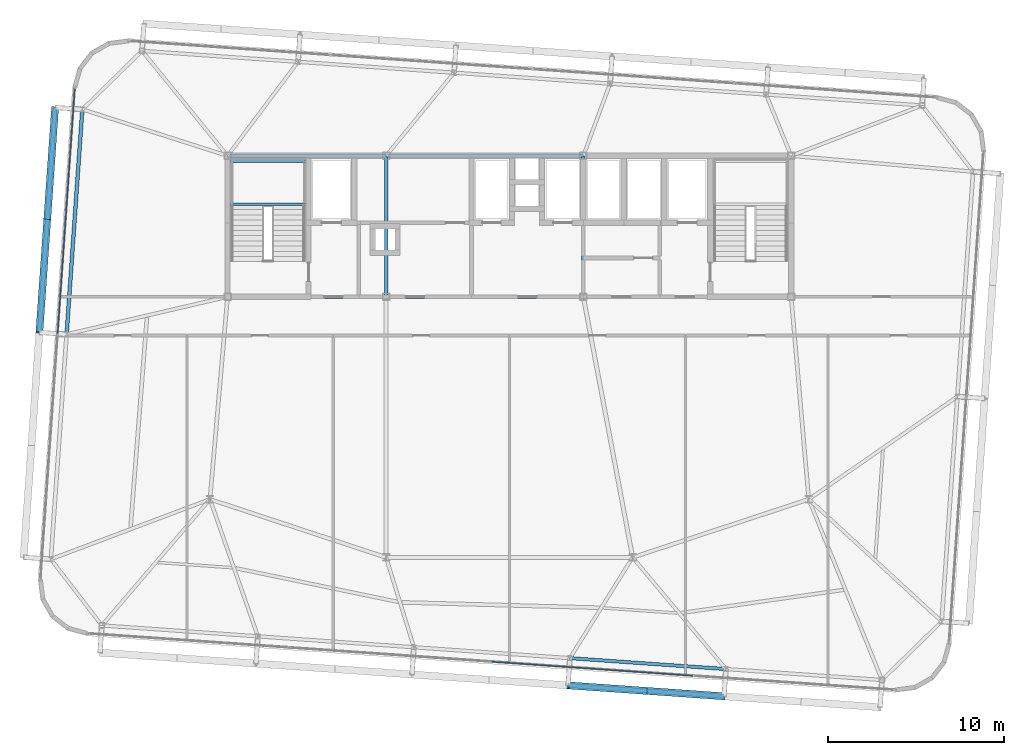
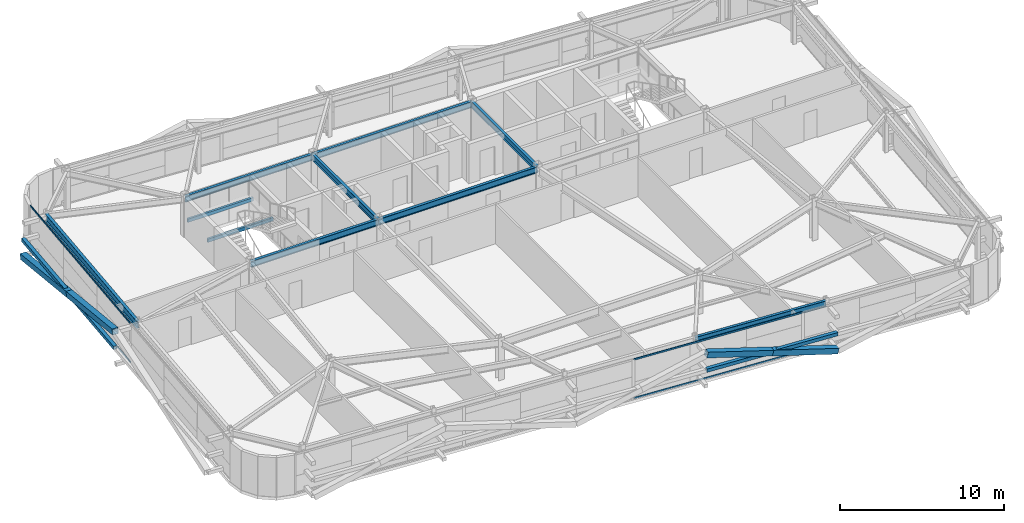
# One storey, part 12 of 39: 10 beams, 10 members, 2 elements without a shape of their own.
"""IFC4 building model written with IfcOpenShell, lengths in metres."""

from ifc_helpers import new_model, si_unit, direction, frame, origin, origin_2d, place, context, subcontext, project, spatial, hollow_rectangle, i_section, extrude, source, transform, mapped, material, layer, layer_set, material_profile, profile_set, type_object, element, aggregate, save


model = new_model("IFC4")

# Units and contexts
model_context = context("Model", 3, precision=1e-05, world=origin(), true_north=direction((0.0, 1.0)))
body_context = subcontext(model_context, "Body", "Model", "MODEL_VIEW")
ifc_project = project(units=[si_unit("LENGTHUNIT", "METRE"), si_unit("AREAUNIT", "SQUARE_METRE"), si_unit("VOLUMEUNIT", "CUBIC_METRE"), si_unit("PLANEANGLEUNIT", "RADIAN"), si_unit("MASSUNIT", "GRAM", prefix="KILO")], contexts=[model_context])

# Site, building, storey
site_placement = place(None, origin())
site = spatial("IfcSite", under=ifc_project, at=site_placement, CompositionType="ELEMENT")
building_placement = place(site_placement, origin())
building = spatial("IfcBuilding", under=site, at=building_placement, Name="Taldren Reach Tower", CompositionType="ELEMENT")
storey_placement = place(building_placement, frame((0.0, 0.0, 145.60009765625)))
storey = spatial("IfcBuildingStorey", under=building, at=storey_placement, Name="L44", CompositionType="ELEMENT", Elevation=145.60009765625)

# Beams
ifc_material_1 = material(Name="Steel Gr 350 (350PLUS)", Category="steel")
ifc_material_profile_1 = material_profile(ifc_material_1, i_section(OverallWidth=0.19091796875, OverallDepth=0.4599609375, WebThickness=0.010009765625, FlangeThickness=0.01611328125, at=origin_2d()), Name="460UB82.1")
ifc_profile_set_1 = profile_set([ifc_material_profile_1], Name="Steel Gr 350 (350PLUS)")
beam_type_1 = type_object("IfcBeamType", Name="BM-UB460A", PredefinedType="BEAM", material=ifc_profile_set_1)
shared_shape_1 = source(origin(), body_context, "Body", "SweptSolid", [
    extrude(i_section(OverallWidth=0.19091796875, OverallDepth=0.4599609375, WebThickness=0.010009765625, FlangeThickness=0.01611328125, at=origin_2d()), origin(), (0.0, 0.0, 1.0), 9.0),
])
for number, where, z_axis, x_axis, name in (
    (1, (19.0, 24.0, 2.699951171875), (1.0, 0.0, 0.0), (0.0, 1.0, 0.0), "Core-spine girder L44-SP01"),
    (2, (19.0, 32.0, 2.699951171875), (1.0, 0.0, 0.0), (0.0, 1.0, 0.0), "Core-spine girder L44-SP04"),
):
    element("IfcBeam", number, at=place(storey_placement, frame(where, z_axis=z_axis, x_axis=x_axis)), inside=storey, type_object=beam_type_1, Name=name, PredefinedType="BEAM", context=body_context, shape_type="MappedRepresentation", body=[
        mapped(shared_shape_1, transform((0.0, 0.0, 0.0), scale=1.0)),
    ])
shared_shape_2 = source(origin(), body_context, "Body", "SweptSolid", [
    extrude(i_section(OverallWidth=0.19091796875, OverallDepth=0.4599609375, WebThickness=0.010009765625, FlangeThickness=0.01611328125, at=origin_2d()), origin(), (0.0, 0.0, 1.0), 11.199951171875),
])
for number, where, z_axis, x_axis, name in (
    (3, (28.0, 24.0, 2.699951171875), (1.0, 0.0, 0.0), (0.0, 1.0, 0.0), "Core-spine girder L44-SP02"),
    (4, (28.0, 32.0, 2.699951171875), (1.0, 0.0, 0.0), (0.0, 1.0, 0.0), "Core-spine girder L44-SP05"),
):
    element("IfcBeam", number, at=place(storey_placement, frame(where, z_axis=z_axis, x_axis=x_axis)), inside=storey, type_object=beam_type_1, Name=name, PredefinedType="BEAM", context=body_context, shape_type="MappedRepresentation", body=[
        mapped(shared_shape_2, transform((0.0, 0.0, 0.0), scale=1.0)),
    ])
shared_shape_3 = source(origin(), body_context, "Body", "SweptSolid", [
    extrude(i_section(OverallWidth=0.19091796875, OverallDepth=0.4599609375, WebThickness=0.010009765625, FlangeThickness=0.01611328125, at=origin_2d()), origin(), (0.0, 0.0, 1.0), 8.0),
])
for number, where, z_axis, x_axis, name in (
    (5, (28.0, 24.0, 2.699951171875), (0.0, 1.0, 0.0), (-1.0, 0.0, 0.0), "Core-spine girder L44-SP07"),
    (6, (39.199951171875, 24.0, 2.699951171875), (0.0, 1.0, 0.0), (-1.0, 0.0, 0.0), "Core-spine girder L44-SP08"),
):
    element("IfcBeam", number, at=place(storey_placement, frame(where, z_axis=z_axis, x_axis=x_axis)), inside=storey, type_object=beam_type_1, Name=name, PredefinedType="BEAM", context=body_context, shape_type="MappedRepresentation", body=[
        mapped(shared_shape_3, transform((0.0, 0.0, 0.0), scale=1.0)),
    ])
ifc_material_profile_2 = material_profile(ifc_material_1, i_section(OverallWidth=0.18994140625, OverallDepth=0.4541015625, WebThickness=0.008544921875, FlangeThickness=0.0126953125, at=origin_2d()), Name="460UB67.1")
ifc_profile_set_2 = profile_set([ifc_material_profile_2], Name="Steel Gr 350 (350PLUS)")
beam_type_2 = type_object("IfcBeamType", Name="SP-UB460B", PredefinedType="SPANDREL", material=ifc_profile_set_2)
shared_shape_4 = source(origin(), body_context, "Body", "SweptSolid", [
    extrude(i_section(OverallWidth=0.18994140625, OverallDepth=0.4541015625, WebThickness=0.008544921875, FlangeThickness=0.0126953125, at=origin_2d()), origin(), (0.0, 0.0, 1.0), 8.880126953125),
])
beam_1_placement = place(storey_placement, frame((38.438720703125, 3.480224609375, 2.702880859375), z_axis=(0.997562566276, -0.06977769246, 0.0), x_axis=(0.06977769246, 0.997562566276, 0.0)))
element("IfcBeam", 7, at=beam_1_placement, inside=storey, type_object=beam_type_2, Name="Perimeter spandrel B3 S4-S5 L44", PredefinedType="SPANDREL", context=body_context, shape_type="MappedRepresentation", body=[
    mapped(shared_shape_4, transform((0.0, 0.0, 0.0), scale=1.0)),
])
ifc_material_profile_3 = material_profile(ifc_material_1, i_section(OverallWidth=0.208984375, OverallDepth=0.528076171875, WebThickness=0.009521484375, FlangeThickness=0.01318359375, at=origin_2d()), Name="530UB82.0")
ifc_profile_set_3 = profile_set([ifc_material_profile_3], Name="Steel Gr 350 (350PLUS)")
beam_type_3 = type_object("IfcBeamType", Name="SP-UB530B", PredefinedType="SPANDREL", material=ifc_profile_set_3)
shared_shape_5 = source(origin(), body_context, "Body", "SweptSolid", [
    extrude(i_section(OverallWidth=0.208984375, OverallDepth=0.528076171875, WebThickness=0.009521484375, FlangeThickness=0.01318359375, at=origin_2d()), origin(), (0.0, 0.0, 1.0), 12.800048828125),
])
beam_2_placement = place(storey_placement, frame((10.754638671875, 34.63720703125, 2.666015625), z_axis=(-0.069751876777, -0.9975643717, 0.0), x_axis=(0.9975643717, -0.069751876777, 0.0)))
element("IfcBeam", 8, at=beam_2_placement, inside=storey, type_object=beam_type_3, Name="Perimeter spandrel B3 W3-W2 L44", PredefinedType="SPANDREL", context=body_context, shape_type="MappedRepresentation", body=[
    mapped(shared_shape_5, transform((0.0, 0.0, 0.0), scale=1.0)),
])

# Members
ifc_material_2 = material(Name="Steel Gr 350 (C350L0)", Category="steel")
ifc_material_profile_4 = material_profile(ifc_material_2, hollow_rectangle(XDim=0.25, YDim=0.25, WallThickness=0.010009765625, at=origin_2d()), Name="250x250x10.0SHS")
ifc_profile_set_4 = profile_set([ifc_material_profile_4], Name="Steel Gr 350 (C350L0)")
member_type_1 = type_object("IfcMemberType", Name="MB-POST250", PredefinedType="POST", material=ifc_profile_set_4)
shared_shape_6 = source(origin(), body_context, "Body", "SweptSolid", [
    extrude(hollow_rectangle(XDim=0.25, YDim=0.25, WallThickness=0.010009765625, at=origin_2d()), origin(), (0.0, 0.0, 1.0), 8.880126953125),
])
member_1_placement = place(storey_placement, frame((38.33056640625, 1.933837890625, 1.434814453125), z_axis=(0.997564479639, -0.069750333063, 0.0), x_axis=(0.069750333063, 0.997564479639, 0.0)))
element("IfcMember", 9, at=member_1_placement, inside=storey, type_object=member_type_1, Name="Exoskeleton mid-height ring chord B3-S4 L44", PredefinedType="POST", context=body_context, shape_type="MappedRepresentation", body=[
    mapped(shared_shape_6, transform((0.0, 0.0, 0.0), scale=1.0)),
])
shared_shape_7 = source(origin(), body_context, "Body", "SweptSolid", [
    extrude(hollow_rectangle(XDim=0.25, YDim=0.25, WallThickness=0.010009765625, at=origin_2d()), origin(), (0.0, 0.0, 1.0), 12.800048828125),
])
member_2_placement = place(storey_placement, frame((8.3154296875, 21.9765625, 1.434814453125), z_axis=(0.069770857464, 0.997563044348, 0.0), x_axis=(-0.997563044348, 0.069770857464, 0.0)))
element("IfcMember", 10, at=member_2_placement, inside=storey, type_object=member_type_1, Name="Exoskeleton mid-height ring chord B3-W2 L44", PredefinedType="POST", context=body_context, shape_type="MappedRepresentation", body=[
    mapped(shared_shape_7, transform((0.0, 0.0, 0.0), scale=1.0)),
])
ifc_material_3 = material(Name="Steel Gr 450 (C450L0)", Category="steel")
ifc_material_profile_5 = material_profile(ifc_material_3, hollow_rectangle(XDim=0.409912109375, YDim=0.409912109375, WallThickness=0.01611328125, at=origin_2d()), Name="410x410x16.0SHS")
ifc_profile_set_5 = profile_set([ifc_material_profile_5], Name="Steel Gr 450 (C450L0)")
member_type_2 = type_object("IfcMemberType", Name="MB-EXO406", PredefinedType="BRACE", material=ifc_profile_set_5)
shared_shape_8 = source(origin(), body_context, "Body", "SweptSolid", [
    extrude(hollow_rectangle(XDim=0.409912109375, YDim=0.409912109375, WallThickness=0.01611328125, at=origin_2d()), origin(), (0.0, 0.0, 1.0), 4.603271484375),
])
for number, where, z_axis, x_axis, name in (
    (11, (47.18896484375, 1.314453125, 0.219970703125), (-0.962195820062, 0.067303852699, 0.263911718699), (-0.06977769246, -0.997562566276, 0.0), "Exoskeleton Diagrid Brace B3-S4 L44"),
    (12, (42.759765625, 1.624267578125, 1.434814453125), (-0.962185784239, 0.067250114343, 0.263962002434), (-0.069722973508, -0.997566392259, 0.0), "Exoskeleton Diagrid Brace B3-S4 L44"),
):
    element("IfcMember", number, at=place(storey_placement, frame(where, z_axis=z_axis, x_axis=x_axis)), inside=storey, type_object=member_type_2, Name=name, PredefinedType="BRACE", context=body_context, shape_type="MappedRepresentation", body=[
        mapped(shared_shape_8, transform((0.0, 0.0, 0.0), scale=1.0)),
    ])
shared_shape_9 = source(origin(), body_context, "Body", "SweptSolid", [
    extrude(hollow_rectangle(XDim=0.409912109375, YDim=0.409912109375, WallThickness=0.01611328125, at=origin_2d()), origin(), (0.0, 0.0, 1.0), 6.514404296875),
])
member_3_placement = place(storey_placement, frame((9.20849609375, 34.745361328125, 0.219970703125), z_axis=(-0.068545605936, -0.980063499638, 0.186486022492), x_axis=(0.997563137195, -0.069769529958, 0.0)))
element("IfcMember", 13, at=member_3_placement, inside=storey, type_object=member_type_2, Name="Exoskeleton Diagrid Brace B3-W2 L44", PredefinedType="BRACE", context=body_context, shape_type="MappedRepresentation", body=[
    mapped(shared_shape_9, transform((0.0, 0.0, 0.0), scale=1.0)),
])
shared_shape_10 = source(origin(), body_context, "Body", "SweptSolid", [
    extrude(hollow_rectangle(XDim=0.409912109375, YDim=0.409912109375, WallThickness=0.01611328125, at=origin_2d()), origin(), (0.0, 0.0, 1.0), 6.51416015625),
])
member_4_placement = place(storey_placement, frame((8.761962890625, 28.36083984375, 1.434814453125), z_axis=(-0.068547644544, -0.980055169399, 0.186529046964), x_axis=(0.997562951496, -0.069772185021, 0.0)))
element("IfcMember", 14, at=member_4_placement, inside=storey, type_object=member_type_2, Name="Exoskeleton Diagrid Brace B3-W2 L44", PredefinedType="BRACE", context=body_context, shape_type="MappedRepresentation", body=[
    mapped(shared_shape_10, transform((0.0, 0.0, 0.0), scale=1.0)),
])

# Curtain wall, members
ifc_material_4 = material(Name="Aluminium and Low-E Glass Unitised System", Category="aluminium")
ifc_layer = layer(ifc_material_4, 0.159912109375)
ifc_layer_set = layer_set([ifc_layer], Name="Aluminium and Low-E Glass Unitised System")
curtain_wall_type = type_object("IfcCurtainWallType", Name="CW-SYS-4", PredefinedType="NOTDEFINED", material=ifc_layer_set)
curtain_wall_1_placement = place(storey_placement, origin())
curtain_wall_1 = element("IfcCurtainWall", 15, at=curtain_wall_1_placement, inside=storey, type_object=curtain_wall_type, Name="Unitised curtain wall CW-L44-S", PredefinedType="NOTDEFINED")
ifc_material_5 = material(Name="Anodised Aluminium 6063-T6", Category="aluminium")
ifc_material_profile_6 = material_profile(ifc_material_5, hollow_rectangle(XDim=0.054931640625, YDim=0.1201171875, WallThickness=0.0029296875, at=origin_2d()), Name="ALU-120x55x3RHS")
ifc_profile_set_6 = profile_set([ifc_material_profile_6], Name="Anodised Aluminium 6063-T6")
member_type_3 = type_object("IfcMemberType", Name="CW-TRN-135", PredefinedType="USERDEFINED", material=ifc_profile_set_6)
shared_shape_11 = source(origin(), body_context, "Body", "SweptSolid", [
    extrude(hollow_rectangle(XDim=0.054931640625, YDim=0.1201171875, WallThickness=0.0029296875, at=origin_2d()), origin(), (0.0, 0.0, 1.0), 11.429931640625),
])
member_5_placement = place(storey_placement, frame((34.0087890625, 3.278564453125, 0.02734375), z_axis=(0.997563740938, -0.069760897114, 0.0), x_axis=(0.069760897114, 0.997563740938, 0.0)))
member_5 = element("IfcMember", 16, at=member_5_placement, type_object=member_type_3, Name="CW-4 transom 3.1", ObjectType="TRANSOM", PredefinedType="USERDEFINED", context=body_context, shape_type="MappedRepresentation", body=[
    mapped(shared_shape_11, transform((0.0, 0.0, 0.0), scale=1.0)),
])
member_6_placement = place(storey_placement, frame((34.0087890625, 3.278564453125, 2.90234375), z_axis=(0.997563740938, -0.069760897114, 0.0), x_axis=(0.069760897114, 0.997563740938, 0.0)))
member_6 = element("IfcMember", 17, at=member_6_placement, type_object=member_type_3, Name="CW-4 transom 3.2", ObjectType="TRANSOM", PredefinedType="USERDEFINED", context=body_context, shape_type="MappedRepresentation", body=[
    mapped(shared_shape_11, transform((0.0, 0.0, 0.0), scale=1.0)),
])
aggregate(curtain_wall_1, [member_5, member_6])

curtain_wall_2_placement = place(storey_placement, origin())
curtain_wall_2 = element("IfcCurtainWall", 18, at=curtain_wall_2_placement, inside=storey, type_object=curtain_wall_type, Name="Unitised curtain wall CW-L44-W", PredefinedType="NOTDEFINED")
shared_shape_12 = source(origin(), body_context, "Body", "SweptSolid", [
    extrude(hollow_rectangle(XDim=0.054931640625, YDim=0.1201171875, WallThickness=0.0029296875, at=origin_2d()), origin(), (0.0, 0.0, 1.0), 13.895263671875),
])
member_7_placement = place(storey_placement, frame((10.32470703125, 35.800048828125, 0.02734375), z_axis=(-0.069753594456, -0.997564251595, 0.0), x_axis=(0.997564251595, -0.069753594456, 0.0)))
member_7 = element("IfcMember", 19, at=member_7_placement, type_object=member_type_3, Name="CW-4 transom 1.1", ObjectType="TRANSOM", PredefinedType="USERDEFINED", context=body_context, shape_type="MappedRepresentation", body=[
    mapped(shared_shape_12, transform((0.0, 0.0, 0.0), scale=1.0)),
])
member_8_placement = place(storey_placement, frame((10.32470703125, 35.800048828125, 2.90234375), z_axis=(-0.069753594456, -0.997564251595, 0.0), x_axis=(0.997564251595, -0.069753594456, 0.0)))
member_8 = element("IfcMember", 20, at=member_8_placement, type_object=member_type_3, Name="CW-4 transom 1.2", ObjectType="TRANSOM", PredefinedType="USERDEFINED", context=body_context, shape_type="MappedRepresentation", body=[
    mapped(shared_shape_12, transform((0.0, 0.0, 0.0), scale=1.0)),
])
aggregate(curtain_wall_2, [member_7, member_8])

# Beams
ifc_material_profile_7 = material_profile(ifc_material_2, hollow_rectangle(XDim=0.14990234375, YDim=0.25, WallThickness=0.009033203125, at=origin_2d()), Name="250x150x9.0RHS")
ifc_profile_set_7 = profile_set([ifc_material_profile_7], Name="Steel Gr 350 (C350L0)")
beam_type_4 = type_object("IfcBeamType", Name="LN-RHS250", PredefinedType="LINTEL", material=ifc_profile_set_7)
shared_shape_13 = source(origin(), body_context, "Body", "SweptSolid", [
    extrude(hollow_rectangle(XDim=0.14990234375, YDim=0.25, WallThickness=0.009033203125, at=origin_2d()), origin(), (0.0, 0.0, 1.0), 4.60009765625),
])
for number, where, z_axis, x_axis, name in (
    (21, (19.0, 29.2548828125, 1.27001953125), (1.0, 0.0, 0.0), (0.0, 1.0, 0.0), "Stair half-landing support beam ST1-L44-1"),
    (22, (19.0, 31.699951171875, 1.27001953125), (1.0, 0.0, 0.0), (0.0, 1.0, 0.0), "Stair half-landing support beam ST1-L44-2"),
):
    element("IfcBeam", number, at=place(storey_placement, frame(where, z_axis=z_axis, x_axis=x_axis)), inside=storey, type_object=beam_type_4, Name=name, PredefinedType="LINTEL", context=body_context, shape_type="MappedRepresentation", body=[
        mapped(shared_shape_13, transform((0.0, 0.0, 0.0), scale=1.0)),
    ])

save(model, "model.ifc")
